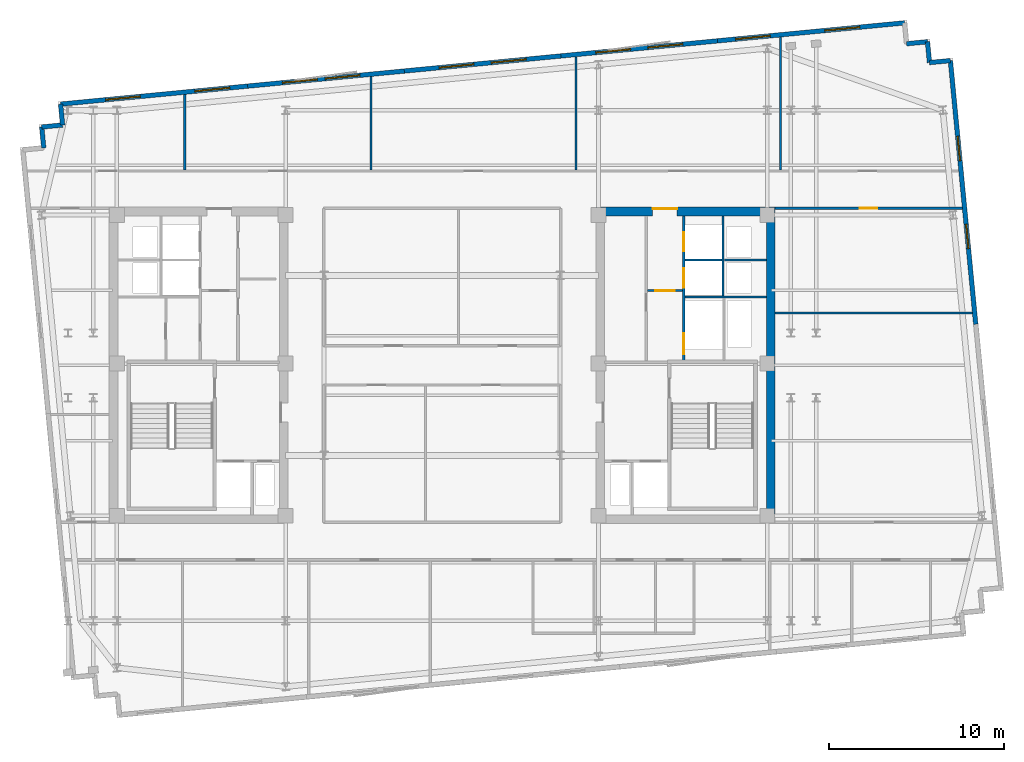
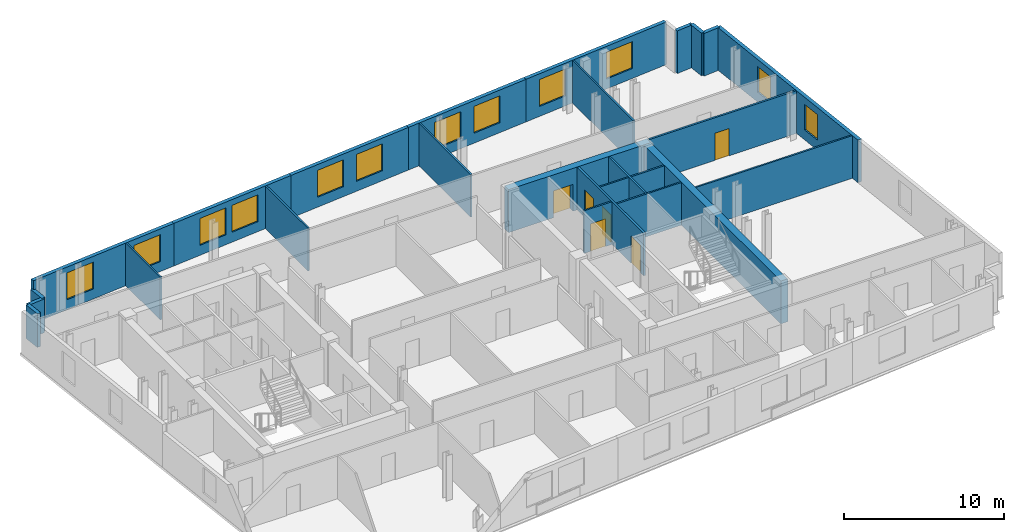
# One storey, part 6 of 9: 26 walls, 12 windows, 6 doors, 18 openings.
"""IFC4 building model written with IfcOpenShell, lengths in metres."""

from ifc_helpers import new_model, si_unit, direction, frame, frame_2d, origin, place, context, subcontext, project, spatial, rectangle, extrude, material, layer, layer_set, type_object, element, fill, save


model = new_model("IFC4")

# Units and contexts
model_context = context("Model", 3, precision=1e-05, world=origin(), true_north=direction((0.0, 1.0)))
body_context = subcontext(model_context, "Body", "Model", "MODEL_VIEW")
ifc_project = project(units=[si_unit("LENGTHUNIT", "METRE"), si_unit("AREAUNIT", "SQUARE_METRE"), si_unit("VOLUMEUNIT", "CUBIC_METRE"), si_unit("PLANEANGLEUNIT", "RADIAN"), si_unit("MASSUNIT", "GRAM", prefix="KILO")], contexts=[model_context])

# Site, building, storey
site_placement = place(None, origin())
site = spatial("IfcSite", under=ifc_project, at=site_placement, CompositionType="ELEMENT")
building_placement = place(site_placement, origin())
building = spatial("IfcBuilding", under=site, at=building_placement, Name="Velakula Bourse", CompositionType="ELEMENT")
storey_placement = place(building_placement, frame((0.0, 0.0, 268.949951171875)))
storey = spatial("IfcBuildingStorey", under=building, at=storey_placement, Name="L73", CompositionType="ELEMENT", Elevation=268.949951171875)

# Wall, opening, door
ifc_material_1 = material(Name="Concrete M50 (fck 50 MPa)", Category="concrete")
ifc_layer_1 = layer(ifc_material_1, 0.5, Name="Concrete M50 (fck 50 MPa)", Category="concrete")
ifc_layer_set_1 = layer_set([ifc_layer_1], Name="Concrete M50 (fck 50 MPa)")
wall_type_1 = type_object("IfcWallType", Name="WL-CORE-500", PredefinedType="SHEAR", material=ifc_layer_set_1)
wall_1_placement = place(storey_placement, frame((8.800048828125, 8.800048828125, 0.0), z_axis=(0.0, 0.0, 1.0), x_axis=(1.0, 0.0, 0.0)))
wall_1 = element("IfcWall", 1, at=wall_1_placement, inside=storey, type_object=wall_type_1, Name="L73 Core E Shear Wall N", PredefinedType="SHEAR", context=body_context, shape_type="SweptSolid", body=[
    extrude(rectangle(XDim=10.25, YDim=0.5, at=frame_2d((5.125, 0.0))), origin(), (0.0, 0.0, 1.0), 3.27001953125),
])
opening_1_placement = place(wall_1_placement, frame((3.25, 0.0, 0.0)))
opening_1 = element("IfcOpeningElement", 2, at=opening_1_placement, cuts=wall_1, Name="Opening D-LLE", PredefinedType="OPENING", context=body_context, shape_type="SweptSolid", body=[
    extrude(rectangle(XDim=1.39990234375, YDim=2.050048828125, at=frame_2d((0.699951171875, 1.02490234375))), frame((0.0, 0.260009765625, 0.0), z_axis=(0.0, -1.0, 0.0), x_axis=(1.0, 0.0, 0.0)), (0.0, 0.0, 1.0), 0.52001953125),
])
ifc_material_2 = material(Name="Fire-rated hardwood flush architectural door", Category="wood")
door_type_1 = type_object("IfcDoorType", Name="DR-DBL-FD60-1400", OperationType="DOUBLE_DOOR_SINGLE_SWING", PredefinedType="DOOR", material=ifc_material_2)
door_1_placement = place(opening_1_placement, origin())
door_1 = element("IfcDoor", 3, at=door_1_placement, inside=storey, type_object=door_type_1, Name="L73 Core E Lift Lobby Corridor Double Door", OperationType="DOUBLE_DOOR_SINGLE_SWING", OverallHeight=2.050048828125, OverallWidth=1.39990234375, PredefinedType="DOOR", context=body_context, shape_type="SweptSolid", body=[
    extrude(rectangle(XDim=1.39990234375, YDim=2.050048828125, at=frame_2d((0.699951171875, 1.02490234375))), frame((0.0, 0.19482421875, 0.0), z_axis=(0.0, -1.0, 0.0), x_axis=(1.0, 0.0, 0.0)), (0.0, 0.0, 1.0), 0.050048828125),
])
fill(opening_1, door_1)

# Wall
wall_2_placement = place(storey_placement, frame((18.800048828125, -8.550048828125, 0.0), z_axis=(0.0, 0.0, 1.0), x_axis=(0.0, 1.0, 0.0)))
element("IfcWall", 4, at=wall_2_placement, inside=storey, type_object=wall_type_1, Name="L73 Core E Shear Wall E", PredefinedType="SHEAR", context=body_context, shape_type="SweptSolid", body=[
    extrude(rectangle(XDim=17.10009765625, YDim=0.5, at=frame_2d((8.550048828125, 0.0))), origin(), (0.0, 0.0, 1.0), 3.27001953125),
])

# Wall, openings, windows
ifc_material_3 = material(Name="Buff kilned clay facing brick masonry", Category="masonry")
ifc_layer_2 = layer(ifc_material_3, 0.260009765625, Name="Buff kilned clay facing brick masonry", Category="masonry")
ifc_layer_set_2 = layer_set([ifc_layer_2], Name="Buff kilned clay facing brick masonry")
wall_type_2 = type_object("IfcWallType", Name="WL-EXT-BRK-260", PredefinedType="STANDARD", material=ifc_layer_set_2)
wall_3_placement = place(storey_placement, frame((-21.820556640625, 14.94482421875, 0.0), z_axis=(0.0, 0.0, 1.0), x_axis=(0.995394787719, 0.095860401528, 0.0)))
wall_3 = element("IfcWall", 5, at=wall_3_placement, inside=storey, type_object=wall_type_2, Name="L73 N Brick Spandrel Wall B1", PredefinedType="STANDARD", context=body_context, shape_type="SweptSolid", body=[
    extrude(rectangle(XDim=10.750244140625, YDim=0.260009765625, at=frame_2d((5.375, 0.0))), origin(), (0.0, 0.0, 1.0), 3.25),
])
opening_2_placement = place(wall_3_placement, frame((2.583251953125, 0.0, 0.760009765625)))
opening_2 = element("IfcOpeningElement", 6, at=opening_2_placement, cuts=wall_3, Name="Opening W-05", PredefinedType="OPENING", context=body_context, shape_type="SweptSolid", body=[
    extrude(rectangle(XDim=2.0, YDim=2.050048828125, at=frame_2d((1.0, 1.02490234375))), frame((0.0, 0.139892578125, 0.0), z_axis=(0.0, -1.0, 0.0), x_axis=(1.0, 0.0, 0.0)), (0.0, 0.0, 1.0), 0.280029296875),
])
opening_3_placement = place(wall_3_placement, frame((7.716796875, 0.0, 0.760009765625)))
opening_3 = element("IfcOpeningElement", 7, at=opening_3_placement, cuts=wall_3, Name="Opening W-05", PredefinedType="OPENING", context=body_context, shape_type="SweptSolid", body=[
    extrude(rectangle(XDim=2.0, YDim=2.050048828125, at=frame_2d((1.0, 1.02490234375))), frame((0.0, 0.139892578125, 0.0), z_axis=(0.0, -1.0, 0.0), x_axis=(1.0, 0.0, 0.0)), (0.0, 0.0, 1.0), 0.280029296875),
])
ifc_material_4 = material(Name="Double-glazed solar-control Low-E glass", Category="glass")
window_type_1 = type_object("IfcWindowType", Name="WIN-TWR-2000x2200", PartitioningType="DOUBLE_PANEL_VERTICAL", PredefinedType="WINDOW", material=ifc_material_4)
window_1_placement = place(opening_2_placement, origin())
window_1 = element("IfcWindow", 8, at=window_1_placement, inside=storey, type_object=window_type_1, Name="L73 Deep-Set Recessed Window 1", OverallHeight=2.050048828125, OverallWidth=2.0, PartitioningType="DOUBLE_PANEL_VERTICAL", PredefinedType="WINDOW", context=body_context, shape_type="SweptSolid", body=[
    extrude(rectangle(XDim=2.0, YDim=2.050048828125, at=frame_2d((1.0, 1.02490234375))), frame((0.0, 0.030029296875, 0.0), z_axis=(0.0, -1.0, 0.0), x_axis=(1.0, 0.0, 0.0)), (0.0, 0.0, 1.0), 0.06005859375),
])
fill(opening_2, window_1)
window_2_placement = place(opening_3_placement, origin())
window_2 = element("IfcWindow", 9, at=window_2_placement, inside=storey, type_object=window_type_1, Name="L73 Deep-Set Recessed Window 2", OverallHeight=2.050048828125, OverallWidth=2.0, PartitioningType="DOUBLE_PANEL_VERTICAL", PredefinedType="WINDOW", context=body_context, shape_type="SweptSolid", body=[
    extrude(rectangle(XDim=2.0, YDim=2.050048828125, at=frame_2d((1.0, 1.02490234375))), frame((0.0, 0.030029296875, 0.0), z_axis=(0.0, -1.0, 0.0), x_axis=(1.0, 0.0, 0.0)), (0.0, 0.0, 1.0), 0.06005859375),
])
fill(opening_3, window_2)

wall_4_placement = place(storey_placement, frame((-11.119873046875, 15.975341796875, 0.0), z_axis=(0.0, 0.0, 1.0), x_axis=(0.995396794462, 0.09583956164, 0.0)))
wall_4 = element("IfcWall", 10, at=wall_4_placement, inside=storey, type_object=wall_type_2, Name="L73 N Brick Spandrel Wall B2", PredefinedType="STANDARD", context=body_context, shape_type="SweptSolid", body=[
    extrude(rectangle(XDim=9.0, YDim=0.260009765625, at=frame_2d((4.5, 0.0))), origin(), (0.0, 0.0, 1.0), 3.25),
])
opening_4_placement = place(wall_4_placement, frame((2.0, 0.0, 0.760009765625)))
opening_4 = element("IfcOpeningElement", 11, at=opening_4_placement, cuts=wall_4, Name="Opening W-05", PredefinedType="OPENING", context=body_context, shape_type="SweptSolid", body=[
    extrude(rectangle(XDim=2.0, YDim=2.050048828125, at=frame_2d((1.0, 1.02490234375))), frame((0.0, 0.139892578125, 0.0), z_axis=(0.0, -1.0, 0.0), x_axis=(1.0, 0.0, 0.0)), (0.0, 0.0, 1.0), 0.280029296875),
])
opening_5_placement = place(wall_4_placement, frame((4.449951171875, 0.0, 0.760009765625)))
opening_5 = element("IfcOpeningElement", 12, at=opening_5_placement, cuts=wall_4, Name="Opening W-05", PredefinedType="OPENING", context=body_context, shape_type="SweptSolid", body=[
    extrude(rectangle(XDim=2.0, YDim=2.050048828125, at=frame_2d((1.0, 1.02490234375))), frame((0.0, 0.139892578125, 0.0), z_axis=(0.0, -1.0, 0.0), x_axis=(1.0, 0.0, 0.0)), (0.0, 0.0, 1.0), 0.280029296875),
])
window_3_placement = place(opening_4_placement, origin())
window_3 = element("IfcWindow", 13, at=window_3_placement, inside=storey, type_object=window_type_1, Name="L73 Deep-Set Recessed Window 1", OverallHeight=2.050048828125, OverallWidth=2.0, PartitioningType="DOUBLE_PANEL_VERTICAL", PredefinedType="WINDOW", context=body_context, shape_type="SweptSolid", body=[
    extrude(rectangle(XDim=2.0, YDim=2.050048828125, at=frame_2d((1.0, 1.02490234375))), frame((0.0, 0.030029296875, 0.0), z_axis=(0.0, -1.0, 0.0), x_axis=(1.0, 0.0, 0.0)), (0.0, 0.0, 1.0), 0.06005859375),
])
fill(opening_4, window_3)
window_4_placement = place(opening_5_placement, origin())
window_4 = element("IfcWindow", 14, at=window_4_placement, inside=storey, type_object=window_type_1, Name="L73 Deep-Set Recessed Window 2", OverallHeight=2.050048828125, OverallWidth=2.0, PartitioningType="DOUBLE_PANEL_VERTICAL", PredefinedType="WINDOW", context=body_context, shape_type="SweptSolid", body=[
    extrude(rectangle(XDim=2.0, YDim=2.050048828125, at=frame_2d((1.0, 1.02490234375))), frame((0.0, 0.030029296875, 0.0), z_axis=(0.0, -1.0, 0.0), x_axis=(1.0, 0.0, 0.0)), (0.0, 0.0, 1.0), 0.06005859375),
])
fill(opening_5, window_4)

wall_5_placement = place(storey_placement, frame((-2.161376953125, 16.837890625, 0.0), z_axis=(0.0, 0.0, 1.0), x_axis=(0.995396794462, 0.09583956164, 0.0)))
wall_5 = element("IfcWall", 15, at=wall_5_placement, inside=storey, type_object=wall_type_2, Name="L73 N Brick Spandrel Wall B3", PredefinedType="STANDARD", context=body_context, shape_type="SweptSolid", body=[
    extrude(rectangle(XDim=9.0, YDim=0.260009765625, at=frame_2d((4.5, 0.0))), origin(), (0.0, 0.0, 1.0), 3.25),
])
opening_6_placement = place(wall_5_placement, frame((2.0, 0.0, 0.760009765625)))
opening_6 = element("IfcOpeningElement", 16, at=opening_6_placement, cuts=wall_5, Name="Opening W-05", PredefinedType="OPENING", context=body_context, shape_type="SweptSolid", body=[
    extrude(rectangle(XDim=2.0, YDim=2.050048828125, at=frame_2d((1.0, 1.02490234375))), frame((0.0, 0.139892578125, 0.0), z_axis=(0.0, -1.0, 0.0), x_axis=(1.0, 0.0, 0.0)), (0.0, 0.0, 1.0), 0.280029296875),
])
opening_7_placement = place(wall_5_placement, frame((5.0, 0.0, 0.760009765625)))
opening_7 = element("IfcOpeningElement", 17, at=opening_7_placement, cuts=wall_5, Name="Opening W-05", PredefinedType="OPENING", context=body_context, shape_type="SweptSolid", body=[
    extrude(rectangle(XDim=2.0, YDim=2.050048828125, at=frame_2d((1.0, 1.02490234375))), frame((0.0, 0.139892578125, 0.0), z_axis=(0.0, -1.0, 0.0), x_axis=(1.0, 0.0, 0.0)), (0.0, 0.0, 1.0), 0.280029296875),
])
window_5_placement = place(opening_6_placement, origin())
window_5 = element("IfcWindow", 18, at=window_5_placement, inside=storey, type_object=window_type_1, Name="L73 Deep-Set Recessed Window 1", OverallHeight=2.050048828125, OverallWidth=2.0, PartitioningType="DOUBLE_PANEL_VERTICAL", PredefinedType="WINDOW", context=body_context, shape_type="SweptSolid", body=[
    extrude(rectangle(XDim=2.0, YDim=2.050048828125, at=frame_2d((1.0, 1.02490234375))), frame((0.0, 0.030029296875, 0.0), z_axis=(0.0, -1.0, 0.0), x_axis=(1.0, 0.0, 0.0)), (0.0, 0.0, 1.0), 0.06005859375),
])
fill(opening_6, window_5)
window_6_placement = place(opening_7_placement, origin())
window_6 = element("IfcWindow", 19, at=window_6_placement, inside=storey, type_object=window_type_1, Name="L73 Deep-Set Recessed Window 2", OverallHeight=2.050048828125, OverallWidth=2.0, PartitioningType="DOUBLE_PANEL_VERTICAL", PredefinedType="WINDOW", context=body_context, shape_type="SweptSolid", body=[
    extrude(rectangle(XDim=2.0, YDim=2.050048828125, at=frame_2d((1.0, 1.02490234375))), frame((0.0, 0.030029296875, 0.0), z_axis=(0.0, -1.0, 0.0), x_axis=(1.0, 0.0, 0.0)), (0.0, 0.0, 1.0), 0.06005859375),
])
fill(opening_7, window_6)

wall_6_placement = place(storey_placement, frame((6.797119140625, 17.700439453125, 0.0), z_axis=(0.0, 0.0, 1.0), x_axis=(0.995394455533, 0.09586385082, 0.0)))
wall_6 = element("IfcWall", 20, at=wall_6_placement, inside=storey, type_object=wall_type_2, Name="L73 N Brick Spandrel Wall B4", PredefinedType="STANDARD", context=body_context, shape_type="SweptSolid", body=[
    extrude(rectangle(XDim=9.000244140625, YDim=0.260009765625, at=frame_2d((4.5, 0.0))), origin(), (0.0, 0.0, 1.0), 3.25),
])
opening_8_placement = place(wall_6_placement, frame((2.0, 0.0, 0.760009765625)))
opening_8 = element("IfcOpeningElement", 21, at=opening_8_placement, cuts=wall_6, Name="Opening W-05", PredefinedType="OPENING", context=body_context, shape_type="SweptSolid", body=[
    extrude(rectangle(XDim=2.0, YDim=2.050048828125, at=frame_2d((1.0, 1.02490234375))), frame((0.0, 0.139892578125, 0.0), z_axis=(0.0, -1.0, 0.0), x_axis=(1.0, 0.0, 0.0)), (0.0, 0.0, 1.0), 0.280029296875),
])
opening_9_placement = place(wall_6_placement, frame((5.0, 0.0, 0.760009765625)))
opening_9 = element("IfcOpeningElement", 22, at=opening_9_placement, cuts=wall_6, Name="Opening W-05", PredefinedType="OPENING", context=body_context, shape_type="SweptSolid", body=[
    extrude(rectangle(XDim=2.0, YDim=2.050048828125, at=frame_2d((1.0, 1.02490234375))), frame((0.0, 0.139892578125, 0.0), z_axis=(0.0, -1.0, 0.0), x_axis=(1.0, 0.0, 0.0)), (0.0, 0.0, 1.0), 0.280029296875),
])
window_7_placement = place(opening_8_placement, origin())
window_7 = element("IfcWindow", 23, at=window_7_placement, inside=storey, type_object=window_type_1, Name="L73 Deep-Set Recessed Window 1", OverallHeight=2.050048828125, OverallWidth=2.0, PartitioningType="DOUBLE_PANEL_VERTICAL", PredefinedType="WINDOW", context=body_context, shape_type="SweptSolid", body=[
    extrude(rectangle(XDim=2.0, YDim=2.050048828125, at=frame_2d((1.0, 1.02490234375))), frame((0.0, 0.030029296875, 0.0), z_axis=(0.0, -1.0, 0.0), x_axis=(1.0, 0.0, 0.0)), (0.0, 0.0, 1.0), 0.06005859375),
])
fill(opening_8, window_7)
window_8_placement = place(opening_9_placement, origin())
window_8 = element("IfcWindow", 24, at=window_8_placement, inside=storey, type_object=window_type_1, Name="L73 Deep-Set Recessed Window 2", OverallHeight=2.050048828125, OverallWidth=2.0, PartitioningType="DOUBLE_PANEL_VERTICAL", PredefinedType="WINDOW", context=body_context, shape_type="SweptSolid", body=[
    extrude(rectangle(XDim=2.0, YDim=2.050048828125, at=frame_2d((1.0, 1.02490234375))), frame((0.0, 0.030029296875, 0.0), z_axis=(0.0, -1.0, 0.0), x_axis=(1.0, 0.0, 0.0)), (0.0, 0.0, 1.0), 0.06005859375),
])
fill(opening_9, window_8)

wall_7_placement = place(storey_placement, frame((15.755859375, 18.563232421875, 0.0), z_axis=(0.0, 0.0, 1.0), x_axis=(0.995396745868, 0.095840066339, 0.0)))
wall_7 = element("IfcWall", 25, at=wall_7_placement, inside=storey, type_object=wall_type_2, Name="L73 N Brick Spandrel Wall B5", PredefinedType="STANDARD", context=body_context, shape_type="SweptSolid", body=[
    extrude(rectangle(XDim=10.75, YDim=0.260009765625, at=frame_2d((5.375, 0.0))), origin(), (0.0, 0.0, 1.0), 3.25),
])
opening_10_placement = place(wall_7_placement, frame((1.033203125, 0.0, 0.760009765625)))
opening_10 = element("IfcOpeningElement", 26, at=opening_10_placement, cuts=wall_7, Name="Opening W-05", PredefinedType="OPENING", context=body_context, shape_type="SweptSolid", body=[
    extrude(rectangle(XDim=2.0, YDim=2.050048828125, at=frame_2d((1.0, 1.02490234375))), frame((0.0, 0.139892578125, 0.0), z_axis=(0.0, -1.0, 0.0), x_axis=(1.0, 0.0, 0.0)), (0.0, 0.0, 1.0), 0.280029296875),
])
opening_11_placement = place(wall_7_placement, frame((6.166748046875, 0.0, 0.760009765625)))
opening_11 = element("IfcOpeningElement", 27, at=opening_11_placement, cuts=wall_7, Name="Opening W-05", PredefinedType="OPENING", context=body_context, shape_type="SweptSolid", body=[
    extrude(rectangle(XDim=2.0, YDim=2.050048828125, at=frame_2d((1.0, 1.02490234375))), frame((0.0, 0.139892578125, 0.0), z_axis=(0.0, -1.0, 0.0), x_axis=(1.0, 0.0, 0.0)), (0.0, 0.0, 1.0), 0.280029296875),
])
window_9_placement = place(opening_10_placement, origin())
window_9 = element("IfcWindow", 28, at=window_9_placement, inside=storey, type_object=window_type_1, Name="L73 Deep-Set Recessed Window 1", OverallHeight=2.050048828125, OverallWidth=2.0, PartitioningType="DOUBLE_PANEL_VERTICAL", PredefinedType="WINDOW", context=body_context, shape_type="SweptSolid", body=[
    extrude(rectangle(XDim=2.0, YDim=2.050048828125, at=frame_2d((1.0, 1.02490234375))), frame((0.0, 0.030029296875, 0.0), z_axis=(0.0, -1.0, 0.0), x_axis=(1.0, 0.0, 0.0)), (0.0, 0.0, 1.0), 0.06005859375),
])
fill(opening_10, window_9)
window_10_placement = place(opening_11_placement, origin())
window_10 = element("IfcWindow", 29, at=window_10_placement, inside=storey, type_object=window_type_1, Name="L73 Deep-Set Recessed Window 2", OverallHeight=2.050048828125, OverallWidth=2.0, PartitioningType="DOUBLE_PANEL_VERTICAL", PredefinedType="WINDOW", context=body_context, shape_type="SweptSolid", body=[
    extrude(rectangle(XDim=2.0, YDim=2.050048828125, at=frame_2d((1.0, 1.02490234375))), frame((0.0, 0.030029296875, 0.0), z_axis=(0.0, -1.0, 0.0), x_axis=(1.0, 0.0, 0.0)), (0.0, 0.0, 1.0), 0.06005859375),
])
fill(opening_11, window_10)

wall_8_placement = place(storey_placement, frame((29.0751953125, 17.4345703125, 0.0), z_axis=(0.0, 0.0, 1.0), x_axis=(0.095850890337, -0.995395703638, 0.0)))
wall_8 = element("IfcWall", 30, at=wall_8_placement, inside=storey, type_object=wall_type_2, Name="L73 E Brick End Wall W2", PredefinedType="STANDARD", context=body_context, shape_type="SweptSolid", body=[
    extrude(rectangle(XDim=15.150146484375, YDim=0.260009765625, at=frame_2d((7.5751953125, 0.0))), origin(), (0.0, 0.0, 1.0), 3.25),
])
opening_12_placement = place(wall_8_placement, frame((4.35009765625, 0.0, 0.760009765625)))
opening_12 = element("IfcOpeningElement", 31, at=opening_12_placement, cuts=wall_8, Name="Opening W-03", PredefinedType="OPENING", context=body_context, shape_type="SweptSolid", body=[
    extrude(rectangle(XDim=1.39990234375, YDim=1.949951171875, at=frame_2d((0.699951171875, 0.97509765625))), frame((0.0, 0.139892578125, 0.0), z_axis=(0.0, -1.0, 0.0), x_axis=(1.0, 0.0, 0.0)), (0.0, 0.0, 1.0), 0.280029296875),
])
opening_13_placement = place(wall_8_placement, frame((9.39990234375, 0.0, 0.760009765625)))
opening_13 = element("IfcOpeningElement", 32, at=opening_13_placement, cuts=wall_8, Name="Opening W-03", PredefinedType="OPENING", context=body_context, shape_type="SweptSolid", body=[
    extrude(rectangle(XDim=1.39990234375, YDim=1.949951171875, at=frame_2d((0.699951171875, 0.97509765625))), frame((0.0, 0.139892578125, 0.0), z_axis=(0.0, -1.0, 0.0), x_axis=(1.0, 0.0, 0.0)), (0.0, 0.0, 1.0), 0.280029296875),
])
window_type_2 = type_object("IfcWindowType", Name="WIN-TWR-1400x2100", PartitioningType="SINGLE_PANEL", PredefinedType="WINDOW", material=ifc_material_4)
window_11_placement = place(opening_12_placement, origin())
window_11 = element("IfcWindow", 33, at=window_11_placement, inside=storey, type_object=window_type_2, Name="L73 Deep-Set Recessed Window 1", OverallHeight=1.949951171875, OverallWidth=1.39990234375, PartitioningType="SINGLE_PANEL", PredefinedType="WINDOW", context=body_context, shape_type="SweptSolid", body=[
    extrude(rectangle(XDim=1.39990234375, YDim=1.949951171875, at=frame_2d((0.699951171875, 0.97509765625))), frame((0.0, 0.030029296875, 0.0), z_axis=(0.0, -1.0, 0.0), x_axis=(1.0, 0.0, 0.0)), (0.0, 0.0, 1.0), 0.06005859375),
])
fill(opening_12, window_11)
window_12_placement = place(opening_13_placement, origin())
window_12 = element("IfcWindow", 34, at=window_12_placement, inside=storey, type_object=window_type_2, Name="L73 Deep-Set Recessed Window 2", OverallHeight=1.949951171875, OverallWidth=1.39990234375, PartitioningType="SINGLE_PANEL", PredefinedType="WINDOW", context=body_context, shape_type="SweptSolid", body=[
    extrude(rectangle(XDim=1.39990234375, YDim=1.949951171875, at=frame_2d((0.699951171875, 0.97509765625))), frame((0.0, 0.030029296875, 0.0), z_axis=(0.0, -1.0, 0.0), x_axis=(1.0, 0.0, 0.0)), (0.0, 0.0, 1.0), 0.06005859375),
])
fill(opening_13, window_12)

# Walls
for number, where, z_axis, x_axis, name in (
    (35, (29.0751953125, 17.4345703125, 0.0), (0.0, 0.0, 1.0), (-0.995397091755, -0.095836473879, 0.0), "L73 Serrated Corner Brick Wall NE-1"),
    (36, (27.880859375, 17.319580078125, 0.0), (0.0, 0.0, 1.0), (-0.095836473879, 0.995397091755, 0.0), "L73 Serrated Corner Brick Wall NE-2"),
):
    element("IfcWall", number, at=place(storey_placement, frame(where, z_axis=z_axis, x_axis=x_axis)), inside=storey, type_object=wall_type_2, Name=name, PredefinedType="STANDARD", context=body_context, shape_type="SweptSolid", body=[
        extrude(rectangle(XDim=1.199951171875, YDim=0.260009765625, at=frame_2d((0.60009765625, 0.0))), origin(), (0.0, 0.0, 1.0), 3.25),
    ])
wall_9_placement = place(storey_placement, frame((27.765869140625, 18.513916015625, 0.0), z_axis=(0.0, 0.0, 1.0), x_axis=(-0.995398960025, -0.095817067274, 0.0)))
element("IfcWall", 37, at=wall_9_placement, inside=storey, type_object=wall_type_2, Name="L73 Serrated Corner Brick Wall NE-3", PredefinedType="STANDARD", context=body_context, shape_type="SweptSolid", body=[
    extrude(rectangle(XDim=1.2001953125, YDim=0.260009765625, at=frame_2d((0.60009765625, 0.0))), origin(), (0.0, 0.0, 1.0), 3.25),
])
wall_10_placement = place(storey_placement, frame((-21.820556640625, 14.94482421875, 0.0), z_axis=(0.0, 0.0, 1.0), x_axis=(0.096038073607, -0.995377661201, 0.0)))
element("IfcWall", 38, at=wall_10_placement, inside=storey, type_object=wall_type_2, Name="L73 Serrated Corner Brick Wall NW-1", PredefinedType="STANDARD", context=body_context, shape_type="SweptSolid", body=[
    extrude(rectangle(XDim=1.199951171875, YDim=0.260009765625, at=frame_2d((0.60009765625, 0.0))), origin(), (0.0, 0.0, 1.0), 2.56494140625),
])
for number, where, z_axis, x_axis, name in (
    (39, (-21.705322265625, 13.75048828125, 0.0), (0.0, 0.0, 1.0), (-0.995398960025, -0.095817067274, 0.0), "L73 Serrated Corner Brick Wall NW-2"),
    (40, (-22.89990234375, 13.635498046875, 0.0), (0.0, 0.0, 1.0), (0.095817067274, -0.995398960025, 0.0), "L73 Serrated Corner Brick Wall NW-3"),
):
    element("IfcWall", number, at=place(storey_placement, frame(where, z_axis=z_axis, x_axis=x_axis)), inside=storey, type_object=wall_type_2, Name=name, PredefinedType="STANDARD", context=body_context, shape_type="SweptSolid", body=[
        extrude(rectangle(XDim=1.2001953125, YDim=0.260009765625, at=frame_2d((0.60009765625, 0.0))), origin(), (0.0, 0.0, 1.0), 2.56494140625),
    ])

# Wall, opening, door
ifc_material_5 = material(Name="Fire-rated double-layer gypsum drywall partition", Category="gypsum")
ifc_layer_3 = layer(ifc_material_5, 0.1201171875, Name="Fire-rated double-layer gypsum drywall partition", Category="gypsum")
ifc_layer_set_3 = layer_set([ifc_layer_3], Name="Fire-rated double-layer gypsum drywall partition")
wall_type_3 = type_object("IfcWallType", Name="WL-PART-120", PredefinedType="STANDARD", material=ifc_layer_set_3)
wall_11_placement = place(storey_placement, frame((11.75, 4.280029296875, 0.0), z_axis=(0.0, 0.0, 1.0), x_axis=(1.0, 0.0, 0.0)))
wall_11 = element("IfcWall", 41, at=wall_11_placement, inside=storey, type_object=wall_type_3, Name="L73 Interior Partition WL-CRE-L73-LL-K2", PredefinedType="STANDARD", context=body_context, shape_type="SweptSolid", body=[
    extrude(rectangle(XDim=2.0, YDim=0.1201171875, at=frame_2d((1.0, 0.0))), origin(), (0.0, 0.0, 1.0), 3.25),
])
opening_14_placement = place(wall_11_placement, frame((0.449951171875, 0.0, 0.0)))
opening_14 = element("IfcOpeningElement", 42, at=opening_14_placement, cuts=wall_11, Name="Opening D-LK2", PredefinedType="OPENING", context=body_context, shape_type="SweptSolid", body=[
    extrude(rectangle(XDim=1.10009765625, YDim=2.10009765625, at=frame_2d((0.550048828125, 1.050048828125))), frame((0.0, 0.070068359375, 0.0), z_axis=(0.0, -1.0, 0.0), x_axis=(1.0, 0.0, 0.0)), (0.0, 0.0, 1.0), 0.14013671875),
])
door_type_2 = type_object("IfcDoorType", Name="DR-FD60-1100x2100", OperationType="NOTDEFINED", PredefinedType="DOOR", material=ifc_material_2)
door_2_placement = place(opening_14_placement, origin())
door_2 = element("IfcDoor", 43, at=door_2_placement, inside=storey, type_object=door_type_2, Name="L73 Core E Lift Lobby Zone Door", OperationType="SINGLE_SWING_LEFT", OverallHeight=2.10009765625, OverallWidth=1.10009765625, PredefinedType="DOOR", context=body_context, shape_type="SweptSolid", body=[
    extrude(rectangle(XDim=1.10009765625, YDim=2.10009765625, at=frame_2d((0.550048828125, 1.050048828125))), frame((0.0, 0.02490234375, 0.0), z_axis=(0.0, -1.0, 0.0), x_axis=(1.0, 0.0, 0.0)), (0.0, 0.0, 1.0), 0.050048828125),
])
fill(opening_14, door_2)

# Walls
wall_12_placement = place(storey_placement, frame((13.89990234375, 3.919921875, 0.0), z_axis=(0.0, 0.0, 1.0), x_axis=(1.0, 0.0, 0.0)))
element("IfcWall", 44, at=wall_12_placement, inside=storey, type_object=wall_type_3, Name="L73 Interior Partition WL-CRE-L73-HI-S", PredefinedType="STANDARD", context=body_context, shape_type="SweptSolid", body=[
    extrude(rectangle(XDim=4.650146484375, YDim=0.1201171875, at=frame_2d((2.3251953125, 0.0))), origin(), (0.0, 0.0, 1.0), 3.25),
])
wall_13_placement = place(storey_placement, frame((16.14990234375, 6.030029296875, 0.0), z_axis=(0.0, 0.0, 1.0), x_axis=(1.0, 0.0, 0.0)))
element("IfcWall", 45, at=wall_13_placement, inside=storey, type_object=wall_type_3, Name="L73 Interior Partition WL-CRE-L73-RIS-MID", PredefinedType="STANDARD", context=body_context, shape_type="SweptSolid", body=[
    extrude(rectangle(XDim=2.400146484375, YDim=0.1201171875, at=frame_2d((1.2001953125, 0.0))), origin(), (0.0, 0.0, 1.0), 3.25),
])
wall_14_placement = place(storey_placement, frame((16.074951171875, 3.97998046875, 0.0), z_axis=(0.0, 0.0, 1.0), x_axis=(0.0, 1.0, 0.0)))
element("IfcWall", 46, at=wall_14_placement, inside=storey, type_object=wall_type_3, Name="L73 Interior Partition WL-CRE-L73-RIS-F", PredefinedType="STANDARD", context=body_context, shape_type="SweptSolid", body=[
    extrude(rectangle(XDim=4.570068359375, YDim=0.1201171875, at=frame_2d((2.28515625, 0.0))), origin(), (0.0, 0.0, 1.0), 3.25),
])
wall_15_placement = place(storey_placement, frame((13.89990234375, 6.030029296875, 0.0), z_axis=(0.0, 0.0, 1.0), x_axis=(1.0, 0.0, 0.0)))
element("IfcWall", 47, at=wall_15_placement, inside=storey, type_object=wall_type_3, Name="L73 Interior Partition WL-CRE-L73-HI-DIV", PredefinedType="STANDARD", context=body_context, shape_type="SweptSolid", body=[
    extrude(rectangle(XDim=2.10009765625, YDim=0.1201171875, at=frame_2d((1.050048828125, 0.0))), origin(), (0.0, 0.0, 1.0), 3.25),
])
wall_16_placement = place(storey_placement, frame((-14.718017578125, 11.18994140625, 0.0), z_axis=(0.0, 0.0, 1.0), x_axis=(0.0, 1.0, 0.0)))
element("IfcWall", 48, at=wall_16_placement, inside=storey, type_object=wall_type_3, Name="L73 Interior Partition WL-INT-L73-N-D1", PredefinedType="STANDARD", context=body_context, shape_type="SweptSolid", body=[
    extrude(rectangle(XDim=4.308349609375, YDim=0.1201171875, at=frame_2d((2.154296875, 0.0))), origin(), (0.0, 0.0, 1.0), 3.25),
])
wall_17_placement = place(storey_placement, frame((-4.06689453125, 11.18994140625, 0.0), z_axis=(0.0, 0.0, 1.0), x_axis=(0.0, 1.0, 0.0)))
element("IfcWall", 49, at=wall_17_placement, inside=storey, type_object=wall_type_3, Name="L73 Interior Partition WL-INT-L73-N-D2", PredefinedType="STANDARD", context=body_context, shape_type="SweptSolid", body=[
    extrude(rectangle(XDim=5.333740234375, YDim=0.1201171875, at=frame_2d((2.6669921875, 0.0))), origin(), (0.0, 0.0, 1.0), 3.25),
])
wall_18_placement = place(storey_placement, frame((7.64990234375, 11.18994140625, 0.0), z_axis=(0.0, 0.0, 1.0), x_axis=(0.0, 1.0, 0.0)))
element("IfcWall", 50, at=wall_18_placement, inside=storey, type_object=wall_type_3, Name="L73 Interior Partition WL-INT-L73-N-D3", PredefinedType="STANDARD", context=body_context, shape_type="SweptSolid", body=[
    extrude(rectangle(XDim=6.462158203125, YDim=0.1201171875, at=frame_2d((3.23095703125, 0.0))), origin(), (0.0, 0.0, 1.0), 3.25),
])
wall_19_placement = place(storey_placement, frame((19.366943359375, 11.18994140625, 0.0), z_axis=(0.0, 0.0, 1.0), x_axis=(0.0, 1.0, 0.0)))
element("IfcWall", 51, at=wall_19_placement, inside=storey, type_object=wall_type_3, Name="L73 Interior Partition WL-INT-L73-N-D4", PredefinedType="STANDARD", context=body_context, shape_type="SweptSolid", body=[
    extrude(rectangle(XDim=7.59033203125, YDim=0.1201171875, at=frame_2d((3.795166015625, 0.0))), origin(), (0.0, 0.0, 1.0), 3.25),
])
wall_20_placement = place(storey_placement, frame((19.050048828125, 3.0, 0.0), z_axis=(0.0, 0.0, 1.0), x_axis=(1.0, 0.0, 0.0)))
element("IfcWall", 52, at=wall_20_placement, inside=storey, type_object=wall_type_3, Name="L73 Interior Partition WL-INT-L73-E-H", PredefinedType="STANDARD", context=body_context, shape_type="SweptSolid", body=[
    extrude(rectangle(XDim=11.284423828125, YDim=0.1201171875, at=frame_2d((5.64208984375, 0.0))), origin(), (0.0, 0.0, 1.0), 3.25),
])

# Wall, opening, door
ifc_layer_4 = layer(ifc_material_5, 0.139892578125, Name="Fire-rated double-layer gypsum drywall partition", Category="gypsum")
ifc_layer_set_4 = layer_set([ifc_layer_4], Name="Fire-rated double-layer gypsum drywall partition")
wall_type_4 = type_object("IfcWallType", Name="WL-PART-140", PredefinedType="STANDARD", material=ifc_layer_set_4)
wall_21_placement = place(storey_placement, frame((19.050048828125, 8.97998046875, 0.0), z_axis=(0.0, 0.0, 1.0), x_axis=(1.0, 0.0, 0.0)))
wall_21 = element("IfcWall", 53, at=wall_21_placement, inside=storey, type_object=wall_type_4, Name="L73 Interior Partition WL-INT-L73-E-NC", PredefinedType="STANDARD", context=body_context, shape_type="SweptSolid", body=[
    extrude(rectangle(XDim=10.708740234375, YDim=0.139892578125, at=frame_2d((5.3544921875, 0.0))), origin(), (0.0, 0.0, 1.0), 3.25),
])
opening_15_placement = place(wall_21_placement, frame((4.8544921875, 0.0, 0.0)))
opening_15 = element("IfcOpeningElement", 54, at=opening_15_placement, cuts=wall_21, Name="Opening D-OF1", PredefinedType="OPENING", context=body_context, shape_type="SweptSolid", body=[
    extrude(rectangle(XDim=1.0, YDim=2.080078125, at=frame_2d((0.5, 1.0400390625))), frame((0.0, 0.079833984375, 0.0), z_axis=(0.0, -1.0, 0.0), x_axis=(1.0, 0.0, 0.0)), (0.0, 0.0, 1.0), 0.159912109375),
])
door_type_3 = type_object("IfcDoorType", Name="DR-OFF-1000", OperationType="NOTDEFINED", PredefinedType="DOOR", material=ifc_material_2)
door_3_placement = place(opening_15_placement, origin())
door_3 = element("IfcDoor", 55, at=door_3_placement, inside=storey, type_object=door_type_3, Name="L73 Company Secretary Office Door", OperationType="SINGLE_SWING_LEFT", OverallHeight=2.080078125, OverallWidth=1.0, PredefinedType="DOOR", context=body_context, shape_type="SweptSolid", body=[
    extrude(rectangle(XDim=1.0, YDim=2.080078125, at=frame_2d((0.5, 1.0400390625))), frame((0.0, 0.02490234375, 0.0), z_axis=(0.0, -1.0, 0.0), x_axis=(1.0, 0.0, 0.0)), (0.0, 0.0, 1.0), 0.050048828125),
])
fill(opening_15, door_3)

# Wall, openings, doors
ifc_material_6 = material(Name="Autoclaved aerated concrete blockwork masonry", Category="masonry")
ifc_layer_5 = layer(ifc_material_6, 0.14990234375, Name="Autoclaved aerated concrete blockwork masonry", Category="masonry")
ifc_layer_set_5 = layer_set([ifc_layer_5], Name="Autoclaved aerated concrete blockwork masonry")
wall_type_5 = type_object("IfcWallType", Name="WL-SHAFT-150", PredefinedType="STANDARD", material=ifc_layer_set_5)
wall_22_placement = place(storey_placement, frame((13.824951171875, 0.27001953125, 0.0), z_axis=(0.0, 0.0, 1.0), x_axis=(0.0, 1.0, 0.0)))
wall_22 = element("IfcWall", 56, at=wall_22_placement, inside=storey, type_object=wall_type_5, Name="L73 Interior Partition WL-CRE-L73-OUT-F", PredefinedType="STANDARD", context=body_context, shape_type="SweptSolid", body=[
    extrude(rectangle(XDim=8.280029296875, YDim=0.14990234375, at=frame_2d((4.14013671875, 0.0))), origin(), (0.0, 0.0, 1.0), 3.25),
])
opening_16_placement = place(wall_22_placement, frame((4.175048828125, 0.0, 0.0)))
opening_16 = element("IfcOpeningElement", 57, at=opening_16_placement, cuts=wall_22, Name="Opening LD-P11", PredefinedType="OPENING", context=body_context, shape_type="SweptSolid", body=[
    extrude(rectangle(XDim=1.10009765625, YDim=2.10009765625, at=frame_2d((0.550048828125, 1.050048828125))), frame((0.0, 0.0849609375, 0.0), z_axis=(0.0, -1.0, 0.0), x_axis=(1.0, 0.0, 0.0)), (0.0, 0.0, 1.0), 0.169921875),
])
opening_17_placement = place(wall_22_placement, frame((6.2451171875, 0.0, 0.0)))
opening_17 = element("IfcOpeningElement", 58, at=opening_17_placement, cuts=wall_22, Name="Opening LD-P12", PredefinedType="OPENING", context=body_context, shape_type="SweptSolid", body=[
    extrude(rectangle(XDim=1.10009765625, YDim=2.10009765625, at=frame_2d((0.550048828125, 1.050048828125))), frame((0.0, 0.0849609375, 0.0), z_axis=(0.0, -1.0, 0.0), x_axis=(1.0, 0.0, 0.0)), (0.0, 0.0, 1.0), 0.169921875),
])
opening_18_placement = place(wall_22_placement, frame((0.3798828125, 0.0, 0.0)))
opening_18 = element("IfcOpeningElement", 59, at=opening_18_placement, cuts=wall_22, Name="Opening LD-SVL1", PredefinedType="OPENING", context=body_context, shape_type="SweptSolid", body=[
    extrude(rectangle(XDim=1.199951171875, YDim=2.10009765625, at=frame_2d((0.60009765625, 1.050048828125))), frame((0.0, 0.0849609375, 0.0), z_axis=(0.0, -1.0, 0.0), x_axis=(1.0, 0.0, 0.0)), (0.0, 0.0, 1.0), 0.169921875),
])
ifc_material_7 = material(Name="Brushed grade 316 stainless steel", Category="steel")
door_type_4 = type_object("IfcDoorType", Name="DR-SLIDE-LD-1100", OperationType="DOUBLE_DOOR_SLIDING", PredefinedType="DOOR", material=ifc_material_7)
door_4_placement = place(opening_16_placement, origin())
door_4 = element("IfcDoor", 60, at=door_4_placement, inside=storey, type_object=door_type_4, Name="L73 Passenger Lift P11 Sliding Landing Door", OperationType="DOUBLE_DOOR_SLIDING", OverallHeight=2.10009765625, OverallWidth=1.10009765625, PredefinedType="DOOR", context=body_context, shape_type="SweptSolid", body=[
    extrude(rectangle(XDim=1.10009765625, YDim=2.10009765625, at=frame_2d((0.550048828125, 1.050048828125))), frame((0.0, 0.02490234375, 0.0), z_axis=(0.0, -1.0, 0.0), x_axis=(1.0, 0.0, 0.0)), (0.0, 0.0, 1.0), 0.050048828125),
])
fill(opening_16, door_4)
door_5_placement = place(opening_17_placement, origin())
door_5 = element("IfcDoor", 61, at=door_5_placement, inside=storey, type_object=door_type_4, Name="L73 Passenger Lift P12 Sliding Landing Door", OperationType="DOUBLE_DOOR_SLIDING", OverallHeight=2.10009765625, OverallWidth=1.10009765625, PredefinedType="DOOR", context=body_context, shape_type="SweptSolid", body=[
    extrude(rectangle(XDim=1.10009765625, YDim=2.10009765625, at=frame_2d((0.550048828125, 1.050048828125))), frame((0.0, 0.02490234375, 0.0), z_axis=(0.0, -1.0, 0.0), x_axis=(1.0, 0.0, 0.0)), (0.0, 0.0, 1.0), 0.050048828125),
])
fill(opening_17, door_5)
door_type_5 = type_object("IfcDoorType", Name="DR-SLIDE-LD-1200", OperationType="DOUBLE_DOOR_SLIDING", PredefinedType="DOOR", material=ifc_material_7)
door_6_placement = place(opening_18_placement, origin())
door_6 = element("IfcDoor", 62, at=door_6_placement, inside=storey, type_object=door_type_5, Name="L73 Service Lift SVL-1 Sliding Landing Door", OperationType="DOUBLE_DOOR_SLIDING", OverallHeight=2.10009765625, OverallWidth=1.199951171875, PredefinedType="DOOR", context=body_context, shape_type="SweptSolid", body=[
    extrude(rectangle(XDim=1.199951171875, YDim=2.10009765625, at=frame_2d((0.60009765625, 1.050048828125))), frame((0.0, 0.02490234375, 0.0), z_axis=(0.0, -1.0, 0.0), x_axis=(1.0, 0.0, 0.0)), (0.0, 0.0, 1.0), 0.050048828125),
])
fill(opening_18, door_6)

save(model, "model.ifc")
